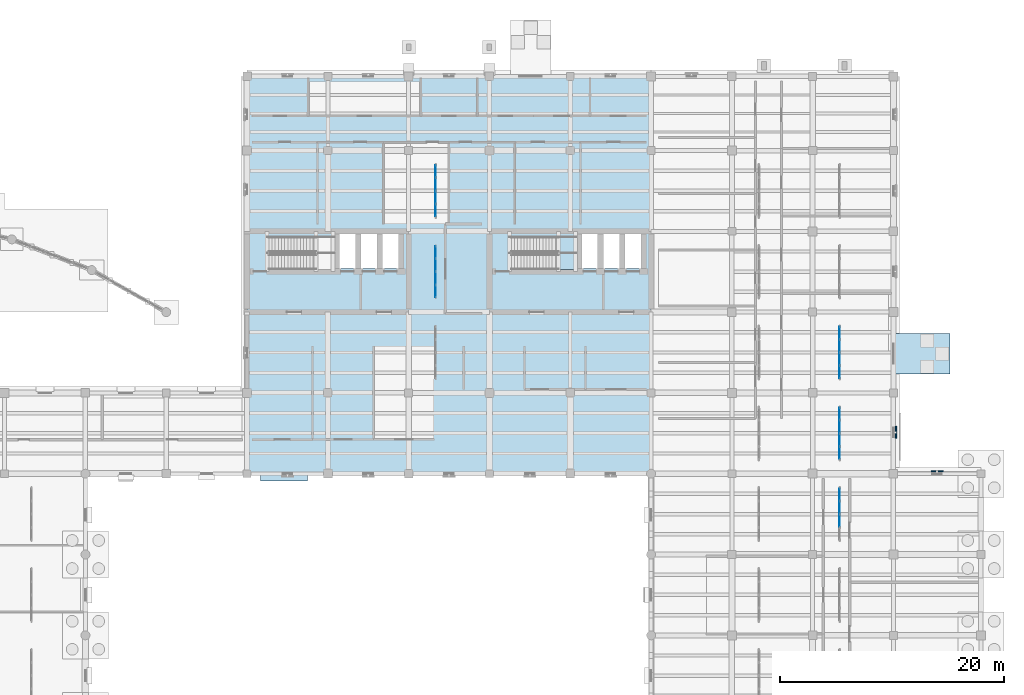
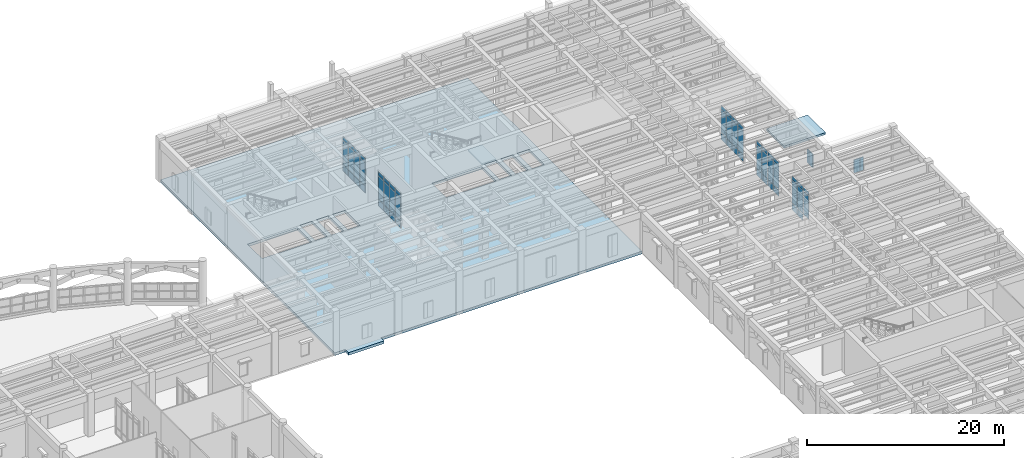
# One storey, part 65 of 100: 60 plates, 3 slabs, 6 elements without a shape of their own.
"""IFC4 building model written with IfcOpenShell, lengths in metres."""

from ifc_helpers import new_model, si_unit, direction, frame, origin, origin_2d, place, context, subcontext, project, spatial, polyline, rectangle, outline, extrude, material, layer, layer_set, type_object, element, aggregate, save


model = new_model("IFC4")

# Units and contexts
model_context = context("Model", 3, precision=1e-05, world=origin(), true_north=direction((0.0, 1.0)))
body_context = subcontext(model_context, "Body", "Model", "MODEL_VIEW")
ifc_project = project(units=[si_unit("LENGTHUNIT", "METRE"), si_unit("AREAUNIT", "SQUARE_METRE"), si_unit("VOLUMEUNIT", "CUBIC_METRE"), si_unit("PLANEANGLEUNIT", "RADIAN"), si_unit("MASSUNIT", "GRAM", prefix="KILO")], contexts=[model_context])

# Site, building, storey
site_placement = place(None, origin())
site = spatial("IfcSite", under=ifc_project, at=site_placement, CompositionType="ELEMENT")
building_placement = place(site_placement, origin())
building = spatial("IfcBuilding", under=site, at=building_placement, Name="Mithqara Police Headquarters", CompositionType="ELEMENT")
storey_placement = place(building_placement, origin())
storey = spatial("IfcBuildingStorey", under=building, at=storey_placement, Name="L00", CompositionType="ELEMENT", Elevation=0.0)

# Curtain wall, plates
ifc_material_1 = material(Name="Bronze anodised aluminium 6063-T6", Category="aluminium")
curtain_wall_type = type_object("IfcCurtainWallType", Name="CURTAIN WALL 4700X4400", PredefinedType="USERDEFINED", material=ifc_material_1)
curtain_wall_1_placement = place(storey_placement, origin())
curtain_wall_1 = element("IfcCurtainWall", 1, at=curtain_wall_1_placement, inside=storey, type_object=curtain_wall_type, Name="L00 Unitised Glazing CW-14 (CW-INT-L00-X17-Y13-0)", ObjectType="UNITISED GLAZING", PredefinedType="USERDEFINED")
ifc_material_2 = material(Name="Spectrally selective double low-e glass", Category="glass")
ifc_layer_1 = layer(ifc_material_2, 0.028076171875, Name="Spectrally selective double low-e glass")
ifc_layer_set_1 = layer_set([ifc_layer_1], Name="Spectrally selective double low-e glass")
plate_type_1 = type_object("IfcPlateType", Name="CWPANEL GLASS28", PredefinedType="CURTAIN_PANEL", material=ifc_layer_set_1)
plate_1_placement = place(storey_placement, frame((125.39990234375, 94.856201171875, 0.074951171875), z_axis=(0.0, 0.0, 1.0), x_axis=(0.0, 1.0, 0.0)))
plate_1 = element("IfcPlate", 2, at=plate_1_placement, type_object=plate_type_1, Name="CW-14 panel 1.1", PredefinedType="CURTAIN_PANEL", context=body_context, shape_type="SweptSolid", body=[
    extrude(rectangle(XDim=1.0625, YDim=0.028076171875, at=origin_2d()), origin(), (0.0, 0.0, 1.0), 0.78759765625),
])
plate_2_placement = place(storey_placement, frame((125.39990234375, 94.856201171875, 0.9375), z_axis=(0.0, 0.0, 1.0), x_axis=(0.0, 1.0, 0.0)))
plate_2 = element("IfcPlate", 3, at=plate_2_placement, type_object=plate_type_1, Name="CW-14 panel 1.2", PredefinedType="CURTAIN_PANEL", context=body_context, shape_type="SweptSolid", body=[
    extrude(rectangle(XDim=1.0625, YDim=0.028076171875, at=origin_2d()), origin(), (0.0, 0.0, 1.0), 2.875),
])
plate_3_placement = place(storey_placement, frame((125.39990234375, 94.856201171875, 3.887451171875), z_axis=(0.0, 0.0, 1.0), x_axis=(0.0, 1.0, 0.0)))
plate_3 = element("IfcPlate", 4, at=plate_3_placement, type_object=plate_type_1, Name="CW-14 panel 1.3", PredefinedType="CURTAIN_PANEL", context=body_context, shape_type="SweptSolid", body=[
    extrude(rectangle(XDim=1.0625, YDim=0.028076171875, at=origin_2d()), origin(), (0.0, 0.0, 1.0), 0.4375),
])
plate_4_placement = place(storey_placement, frame((125.39990234375, 96.012451171875, 0.074951171875), z_axis=(0.0, 0.0, 1.0), x_axis=(0.0, 1.0, 0.0)))
plate_4 = element("IfcPlate", 5, at=plate_4_placement, type_object=plate_type_1, Name="CW-14 panel 2.1", PredefinedType="CURTAIN_PANEL", context=body_context, shape_type="SweptSolid", body=[
    extrude(rectangle(XDim=1.10009765625, YDim=0.028076171875, at=origin_2d()), origin(), (0.0, 0.0, 1.0), 0.78759765625),
])
plate_5_placement = place(storey_placement, frame((125.39990234375, 96.012451171875, 0.9375), z_axis=(0.0, 0.0, 1.0), x_axis=(0.0, 1.0, 0.0)))
plate_5 = element("IfcPlate", 6, at=plate_5_placement, type_object=plate_type_1, Name="CW-14 panel 2.2", PredefinedType="CURTAIN_PANEL", context=body_context, shape_type="SweptSolid", body=[
    extrude(rectangle(XDim=1.10009765625, YDim=0.028076171875, at=origin_2d()), origin(), (0.0, 0.0, 1.0), 2.875),
])
plate_6_placement = place(storey_placement, frame((125.39990234375, 96.012451171875, 3.887451171875), z_axis=(0.0, 0.0, 1.0), x_axis=(0.0, 1.0, 0.0)))
plate_6 = element("IfcPlate", 7, at=plate_6_placement, type_object=plate_type_1, Name="CW-14 panel 2.3", PredefinedType="CURTAIN_PANEL", context=body_context, shape_type="SweptSolid", body=[
    extrude(rectangle(XDim=1.10009765625, YDim=0.028076171875, at=origin_2d()), origin(), (0.0, 0.0, 1.0), 0.4375),
])
plate_7_placement = place(storey_placement, frame((125.39990234375, 97.1875, 0.074951171875), z_axis=(0.0, 0.0, 1.0), x_axis=(0.0, 1.0, 0.0)))
plate_7 = element("IfcPlate", 8, at=plate_7_placement, type_object=plate_type_1, Name="CW-14 panel 3.1", PredefinedType="CURTAIN_PANEL", context=body_context, shape_type="SweptSolid", body=[
    extrude(rectangle(XDim=1.10009765625, YDim=0.028076171875, at=origin_2d()), origin(), (0.0, 0.0, 1.0), 0.78759765625),
])
plate_8_placement = place(storey_placement, frame((125.39990234375, 97.1875, 0.9375), z_axis=(0.0, 0.0, 1.0), x_axis=(0.0, 1.0, 0.0)))
plate_8 = element("IfcPlate", 9, at=plate_8_placement, type_object=plate_type_1, Name="CW-14 panel 3.2", PredefinedType="CURTAIN_PANEL", context=body_context, shape_type="SweptSolid", body=[
    extrude(rectangle(XDim=1.10009765625, YDim=0.028076171875, at=origin_2d()), origin(), (0.0, 0.0, 1.0), 2.875),
])
plate_9_placement = place(storey_placement, frame((125.39990234375, 97.1875, 3.887451171875), z_axis=(0.0, 0.0, 1.0), x_axis=(0.0, 1.0, 0.0)))
plate_9 = element("IfcPlate", 10, at=plate_9_placement, type_object=plate_type_1, Name="CW-14 panel 3.3", PredefinedType="CURTAIN_PANEL", context=body_context, shape_type="SweptSolid", body=[
    extrude(rectangle(XDim=1.10009765625, YDim=0.028076171875, at=origin_2d()), origin(), (0.0, 0.0, 1.0), 0.4375),
])
plate_10_placement = place(storey_placement, frame((125.39990234375, 98.34375, 0.074951171875), z_axis=(0.0, 0.0, 1.0), x_axis=(0.0, 1.0, 0.0)))
plate_10 = element("IfcPlate", 11, at=plate_10_placement, type_object=plate_type_1, Name="CW-14 panel 4.1", PredefinedType="CURTAIN_PANEL", context=body_context, shape_type="SweptSolid", body=[
    extrude(rectangle(XDim=1.0625, YDim=0.028076171875, at=origin_2d()), origin(), (0.0, 0.0, 1.0), 0.78759765625),
])
plate_11_placement = place(storey_placement, frame((125.39990234375, 98.34375, 0.9375), z_axis=(0.0, 0.0, 1.0), x_axis=(0.0, 1.0, 0.0)))
plate_11 = element("IfcPlate", 12, at=plate_11_placement, type_object=plate_type_1, Name="CW-14 panel 4.2", PredefinedType="CURTAIN_PANEL", context=body_context, shape_type="SweptSolid", body=[
    extrude(rectangle(XDim=1.0625, YDim=0.028076171875, at=origin_2d()), origin(), (0.0, 0.0, 1.0), 2.875),
])
plate_12_placement = place(storey_placement, frame((125.39990234375, 98.34375, 3.887451171875), z_axis=(0.0, 0.0, 1.0), x_axis=(0.0, 1.0, 0.0)))
plate_12 = element("IfcPlate", 13, at=plate_12_placement, type_object=plate_type_1, Name="CW-14 panel 4.3", PredefinedType="CURTAIN_PANEL", context=body_context, shape_type="SweptSolid", body=[
    extrude(rectangle(XDim=1.0625, YDim=0.028076171875, at=origin_2d()), origin(), (0.0, 0.0, 1.0), 0.4375),
])
aggregate(curtain_wall_1, [plate_1, plate_2, plate_3, plate_4, plate_5, plate_6, plate_7, plate_8, plate_9, plate_10, plate_11, plate_12])

curtain_wall_2_placement = place(storey_placement, origin())
curtain_wall_2 = element("IfcCurtainWall", 14, at=curtain_wall_2_placement, inside=storey, type_object=curtain_wall_type, Name="L00 Unitised Glazing CW-14 (CW-INT-L00-X17-Y14-0)", ObjectType="UNITISED GLAZING", PredefinedType="USERDEFINED")
plate_13_placement = place(storey_placement, frame((125.39990234375, 102.05615234375, 0.074951171875), z_axis=(0.0, 0.0, 1.0), x_axis=(0.0, 1.0, 0.0)))
plate_13 = element("IfcPlate", 15, at=plate_13_placement, type_object=plate_type_1, Name="CW-14 panel 1.1", PredefinedType="CURTAIN_PANEL", context=body_context, shape_type="SweptSolid", body=[
    extrude(rectangle(XDim=1.0625, YDim=0.028076171875, at=origin_2d()), origin(), (0.0, 0.0, 1.0), 0.78759765625),
])
plate_14_placement = place(storey_placement, frame((125.39990234375, 102.05615234375, 0.9375), z_axis=(0.0, 0.0, 1.0), x_axis=(0.0, 1.0, 0.0)))
plate_14 = element("IfcPlate", 16, at=plate_14_placement, type_object=plate_type_1, Name="CW-14 panel 1.2", PredefinedType="CURTAIN_PANEL", context=body_context, shape_type="SweptSolid", body=[
    extrude(rectangle(XDim=1.0625, YDim=0.028076171875, at=origin_2d()), origin(), (0.0, 0.0, 1.0), 2.875),
])
plate_15_placement = place(storey_placement, frame((125.39990234375, 102.05615234375, 3.887451171875), z_axis=(0.0, 0.0, 1.0), x_axis=(0.0, 1.0, 0.0)))
plate_15 = element("IfcPlate", 17, at=plate_15_placement, type_object=plate_type_1, Name="CW-14 panel 1.3", PredefinedType="CURTAIN_PANEL", context=body_context, shape_type="SweptSolid", body=[
    extrude(rectangle(XDim=1.0625, YDim=0.028076171875, at=origin_2d()), origin(), (0.0, 0.0, 1.0), 0.4375),
])
plate_16_placement = place(storey_placement, frame((125.39990234375, 103.21240234375, 0.074951171875), z_axis=(0.0, 0.0, 1.0), x_axis=(0.0, 1.0, 0.0)))
plate_16 = element("IfcPlate", 18, at=plate_16_placement, type_object=plate_type_1, Name="CW-14 panel 2.1", PredefinedType="CURTAIN_PANEL", context=body_context, shape_type="SweptSolid", body=[
    extrude(rectangle(XDim=1.10009765625, YDim=0.028076171875, at=origin_2d()), origin(), (0.0, 0.0, 1.0), 0.78759765625),
])
plate_17_placement = place(storey_placement, frame((125.39990234375, 103.21240234375, 0.9375), z_axis=(0.0, 0.0, 1.0), x_axis=(0.0, 1.0, 0.0)))
plate_17 = element("IfcPlate", 19, at=plate_17_placement, type_object=plate_type_1, Name="CW-14 panel 2.2", PredefinedType="CURTAIN_PANEL", context=body_context, shape_type="SweptSolid", body=[
    extrude(rectangle(XDim=1.10009765625, YDim=0.028076171875, at=origin_2d()), origin(), (0.0, 0.0, 1.0), 2.875),
])
plate_18_placement = place(storey_placement, frame((125.39990234375, 103.21240234375, 3.887451171875), z_axis=(0.0, 0.0, 1.0), x_axis=(0.0, 1.0, 0.0)))
plate_18 = element("IfcPlate", 20, at=plate_18_placement, type_object=plate_type_1, Name="CW-14 panel 2.3", PredefinedType="CURTAIN_PANEL", context=body_context, shape_type="SweptSolid", body=[
    extrude(rectangle(XDim=1.10009765625, YDim=0.028076171875, at=origin_2d()), origin(), (0.0, 0.0, 1.0), 0.4375),
])
plate_19_placement = place(storey_placement, frame((125.39990234375, 104.387451171875, 0.074951171875), z_axis=(0.0, 0.0, 1.0), x_axis=(0.0, 1.0, 0.0)))
plate_19 = element("IfcPlate", 21, at=plate_19_placement, type_object=plate_type_1, Name="CW-14 panel 3.1", PredefinedType="CURTAIN_PANEL", context=body_context, shape_type="SweptSolid", body=[
    extrude(rectangle(XDim=1.10009765625, YDim=0.028076171875, at=origin_2d()), origin(), (0.0, 0.0, 1.0), 0.78759765625),
])
plate_20_placement = place(storey_placement, frame((125.39990234375, 104.387451171875, 0.9375), z_axis=(0.0, 0.0, 1.0), x_axis=(0.0, 1.0, 0.0)))
plate_20 = element("IfcPlate", 22, at=plate_20_placement, type_object=plate_type_1, Name="CW-14 panel 3.2", PredefinedType="CURTAIN_PANEL", context=body_context, shape_type="SweptSolid", body=[
    extrude(rectangle(XDim=1.10009765625, YDim=0.028076171875, at=origin_2d()), origin(), (0.0, 0.0, 1.0), 2.875),
])
plate_21_placement = place(storey_placement, frame((125.39990234375, 104.387451171875, 3.887451171875), z_axis=(0.0, 0.0, 1.0), x_axis=(0.0, 1.0, 0.0)))
plate_21 = element("IfcPlate", 23, at=plate_21_placement, type_object=plate_type_1, Name="CW-14 panel 3.3", PredefinedType="CURTAIN_PANEL", context=body_context, shape_type="SweptSolid", body=[
    extrude(rectangle(XDim=1.10009765625, YDim=0.028076171875, at=origin_2d()), origin(), (0.0, 0.0, 1.0), 0.4375),
])
plate_22_placement = place(storey_placement, frame((125.39990234375, 105.543701171875, 0.074951171875), z_axis=(0.0, 0.0, 1.0), x_axis=(0.0, 1.0, 0.0)))
plate_22 = element("IfcPlate", 24, at=plate_22_placement, type_object=plate_type_1, Name="CW-14 panel 4.1", PredefinedType="CURTAIN_PANEL", context=body_context, shape_type="SweptSolid", body=[
    extrude(rectangle(XDim=1.0625, YDim=0.028076171875, at=origin_2d()), origin(), (0.0, 0.0, 1.0), 0.78759765625),
])
plate_23_placement = place(storey_placement, frame((125.39990234375, 105.543701171875, 0.9375), z_axis=(0.0, 0.0, 1.0), x_axis=(0.0, 1.0, 0.0)))
plate_23 = element("IfcPlate", 25, at=plate_23_placement, type_object=plate_type_1, Name="CW-14 panel 4.2", PredefinedType="CURTAIN_PANEL", context=body_context, shape_type="SweptSolid", body=[
    extrude(rectangle(XDim=1.0625, YDim=0.028076171875, at=origin_2d()), origin(), (0.0, 0.0, 1.0), 2.875),
])
plate_24_placement = place(storey_placement, frame((125.39990234375, 105.543701171875, 3.887451171875), z_axis=(0.0, 0.0, 1.0), x_axis=(0.0, 1.0, 0.0)))
plate_24 = element("IfcPlate", 26, at=plate_24_placement, type_object=plate_type_1, Name="CW-14 panel 4.3", PredefinedType="CURTAIN_PANEL", context=body_context, shape_type="SweptSolid", body=[
    extrude(rectangle(XDim=1.0625, YDim=0.028076171875, at=origin_2d()), origin(), (0.0, 0.0, 1.0), 0.4375),
])
aggregate(curtain_wall_2, [plate_13, plate_14, plate_15, plate_16, plate_17, plate_18, plate_19, plate_20, plate_21, plate_22, plate_23, plate_24])

curtain_wall_3_placement = place(storey_placement, origin())
curtain_wall_3 = element("IfcCurtainWall", 27, at=curtain_wall_3_placement, inside=storey, type_object=curtain_wall_type, Name="L00 Unitised Glazing CW-14 (CW-INT-L00-X22-Y10-0)", ObjectType="UNITISED GLAZING", PredefinedType="USERDEFINED")
plate_25_placement = place(storey_placement, frame((161.39990234375, 74.41259765625, 0.9375), z_axis=(0.0, 0.0, 1.0), x_axis=(0.0, 1.0, 0.0)))
plate_25 = element("IfcPlate", 28, at=plate_25_placement, type_object=plate_type_1, Name="CW-14 panel 2.2", PredefinedType="CURTAIN_PANEL", context=body_context, shape_type="SweptSolid", body=[
    extrude(rectangle(XDim=1.10009765625, YDim=0.028076171875, at=origin_2d()), origin(), (0.0, 0.0, 1.0), 2.875),
])
plate_26_placement = place(storey_placement, frame((161.39990234375, 74.41259765625, 3.887451171875), z_axis=(0.0, 0.0, 1.0), x_axis=(0.0, 1.0, 0.0)))
plate_26 = element("IfcPlate", 29, at=plate_26_placement, type_object=plate_type_1, Name="CW-14 panel 2.3", PredefinedType="CURTAIN_PANEL", context=body_context, shape_type="SweptSolid", body=[
    extrude(rectangle(XDim=1.10009765625, YDim=0.028076171875, at=origin_2d()), origin(), (0.0, 0.0, 1.0), 0.4375),
])
plate_27_placement = place(storey_placement, frame((161.39990234375, 75.58740234375, 0.074951171875), z_axis=(0.0, 0.0, 1.0), x_axis=(0.0, 1.0, 0.0)))
plate_27 = element("IfcPlate", 30, at=plate_27_placement, type_object=plate_type_1, Name="CW-14 panel 3.1", PredefinedType="CURTAIN_PANEL", context=body_context, shape_type="SweptSolid", body=[
    extrude(rectangle(XDim=1.10009765625, YDim=0.028076171875, at=origin_2d()), origin(), (0.0, 0.0, 1.0), 0.78759765625),
])
plate_28_placement = place(storey_placement, frame((161.39990234375, 75.58740234375, 0.9375), z_axis=(0.0, 0.0, 1.0), x_axis=(0.0, 1.0, 0.0)))
plate_28 = element("IfcPlate", 31, at=plate_28_placement, type_object=plate_type_1, Name="CW-14 panel 3.2", PredefinedType="CURTAIN_PANEL", context=body_context, shape_type="SweptSolid", body=[
    extrude(rectangle(XDim=1.10009765625, YDim=0.028076171875, at=origin_2d()), origin(), (0.0, 0.0, 1.0), 2.875),
])
plate_29_placement = place(storey_placement, frame((161.39990234375, 75.58740234375, 3.887451171875), z_axis=(0.0, 0.0, 1.0), x_axis=(0.0, 1.0, 0.0)))
plate_29 = element("IfcPlate", 32, at=plate_29_placement, type_object=plate_type_1, Name="CW-14 panel 3.3", PredefinedType="CURTAIN_PANEL", context=body_context, shape_type="SweptSolid", body=[
    extrude(rectangle(XDim=1.10009765625, YDim=0.028076171875, at=origin_2d()), origin(), (0.0, 0.0, 1.0), 0.4375),
])
plate_30_placement = place(storey_placement, frame((161.39990234375, 76.74365234375, 0.074951171875), z_axis=(0.0, 0.0, 1.0), x_axis=(0.0, 1.0, 0.0)))
plate_30 = element("IfcPlate", 33, at=plate_30_placement, type_object=plate_type_1, Name="CW-14 panel 4.1", PredefinedType="CURTAIN_PANEL", context=body_context, shape_type="SweptSolid", body=[
    extrude(rectangle(XDim=1.0625, YDim=0.028076171875, at=origin_2d()), origin(), (0.0, 0.0, 1.0), 0.78759765625),
])
plate_31_placement = place(storey_placement, frame((161.39990234375, 76.74365234375, 0.9375), z_axis=(0.0, 0.0, 1.0), x_axis=(0.0, 1.0, 0.0)))
plate_31 = element("IfcPlate", 34, at=plate_31_placement, type_object=plate_type_1, Name="CW-14 panel 4.2", PredefinedType="CURTAIN_PANEL", context=body_context, shape_type="SweptSolid", body=[
    extrude(rectangle(XDim=1.0625, YDim=0.028076171875, at=origin_2d()), origin(), (0.0, 0.0, 1.0), 2.875),
])
plate_32_placement = place(storey_placement, frame((161.39990234375, 76.74365234375, 3.887451171875), z_axis=(0.0, 0.0, 1.0), x_axis=(0.0, 1.0, 0.0)))
plate_32 = element("IfcPlate", 35, at=plate_32_placement, type_object=plate_type_1, Name="CW-14 panel 4.3", PredefinedType="CURTAIN_PANEL", context=body_context, shape_type="SweptSolid", body=[
    extrude(rectangle(XDim=1.0625, YDim=0.028076171875, at=origin_2d()), origin(), (0.0, 0.0, 1.0), 0.4375),
])
aggregate(curtain_wall_3, [plate_25, plate_26, plate_27, plate_28, plate_29, plate_30, plate_31, plate_32])

curtain_wall_4_placement = place(storey_placement, origin())
curtain_wall_4 = element("IfcCurtainWall", 36, at=curtain_wall_4_placement, inside=storey, type_object=curtain_wall_type, Name="L00 Unitised Glazing CW-14 (CW-INT-L00-X22-Y11-0)", ObjectType="UNITISED GLAZING", PredefinedType="USERDEFINED")
plate_33_placement = place(storey_placement, frame((161.39990234375, 80.456298828125, 0.074951171875), z_axis=(0.0, 0.0, 1.0), x_axis=(0.0, 1.0, 0.0)))
plate_33 = element("IfcPlate", 37, at=plate_33_placement, type_object=plate_type_1, Name="CW-14 panel 1.1", PredefinedType="CURTAIN_PANEL", context=body_context, shape_type="SweptSolid", body=[
    extrude(rectangle(XDim=1.0625, YDim=0.028076171875, at=origin_2d()), origin(), (0.0, 0.0, 1.0), 0.78759765625),
])
plate_34_placement = place(storey_placement, frame((161.39990234375, 80.456298828125, 0.9375), z_axis=(0.0, 0.0, 1.0), x_axis=(0.0, 1.0, 0.0)))
plate_34 = element("IfcPlate", 38, at=plate_34_placement, type_object=plate_type_1, Name="CW-14 panel 1.2", PredefinedType="CURTAIN_PANEL", context=body_context, shape_type="SweptSolid", body=[
    extrude(rectangle(XDim=1.0625, YDim=0.028076171875, at=origin_2d()), origin(), (0.0, 0.0, 1.0), 2.875),
])
plate_35_placement = place(storey_placement, frame((161.39990234375, 80.456298828125, 3.887451171875), z_axis=(0.0, 0.0, 1.0), x_axis=(0.0, 1.0, 0.0)))
plate_35 = element("IfcPlate", 39, at=plate_35_placement, type_object=plate_type_1, Name="CW-14 panel 1.3", PredefinedType="CURTAIN_PANEL", context=body_context, shape_type="SweptSolid", body=[
    extrude(rectangle(XDim=1.0625, YDim=0.028076171875, at=origin_2d()), origin(), (0.0, 0.0, 1.0), 0.4375),
])
plate_36_placement = place(storey_placement, frame((161.39990234375, 81.612548828125, 0.074951171875), z_axis=(0.0, 0.0, 1.0), x_axis=(0.0, 1.0, 0.0)))
plate_36 = element("IfcPlate", 40, at=plate_36_placement, type_object=plate_type_1, Name="CW-14 panel 2.1", PredefinedType="CURTAIN_PANEL", context=body_context, shape_type="SweptSolid", body=[
    extrude(rectangle(XDim=1.10009765625, YDim=0.028076171875, at=origin_2d()), origin(), (0.0, 0.0, 1.0), 0.78759765625),
])
plate_37_placement = place(storey_placement, frame((161.39990234375, 81.612548828125, 0.9375), z_axis=(0.0, 0.0, 1.0), x_axis=(0.0, 1.0, 0.0)))
plate_37 = element("IfcPlate", 41, at=plate_37_placement, type_object=plate_type_1, Name="CW-14 panel 2.2", PredefinedType="CURTAIN_PANEL", context=body_context, shape_type="SweptSolid", body=[
    extrude(rectangle(XDim=1.10009765625, YDim=0.028076171875, at=origin_2d()), origin(), (0.0, 0.0, 1.0), 2.875),
])
plate_38_placement = place(storey_placement, frame((161.39990234375, 81.612548828125, 3.887451171875), z_axis=(0.0, 0.0, 1.0), x_axis=(0.0, 1.0, 0.0)))
plate_38 = element("IfcPlate", 42, at=plate_38_placement, type_object=plate_type_1, Name="CW-14 panel 2.3", PredefinedType="CURTAIN_PANEL", context=body_context, shape_type="SweptSolid", body=[
    extrude(rectangle(XDim=1.10009765625, YDim=0.028076171875, at=origin_2d()), origin(), (0.0, 0.0, 1.0), 0.4375),
])
plate_39_placement = place(storey_placement, frame((161.39990234375, 82.78759765625, 0.074951171875), z_axis=(0.0, 0.0, 1.0), x_axis=(0.0, 1.0, 0.0)))
plate_39 = element("IfcPlate", 43, at=plate_39_placement, type_object=plate_type_1, Name="CW-14 panel 3.1", PredefinedType="CURTAIN_PANEL", context=body_context, shape_type="SweptSolid", body=[
    extrude(rectangle(XDim=1.10009765625, YDim=0.028076171875, at=origin_2d()), origin(), (0.0, 0.0, 1.0), 0.78759765625),
])
plate_40_placement = place(storey_placement, frame((161.39990234375, 82.78759765625, 0.9375), z_axis=(0.0, 0.0, 1.0), x_axis=(0.0, 1.0, 0.0)))
plate_40 = element("IfcPlate", 44, at=plate_40_placement, type_object=plate_type_1, Name="CW-14 panel 3.2", PredefinedType="CURTAIN_PANEL", context=body_context, shape_type="SweptSolid", body=[
    extrude(rectangle(XDim=1.10009765625, YDim=0.028076171875, at=origin_2d()), origin(), (0.0, 0.0, 1.0), 2.875),
])
plate_41_placement = place(storey_placement, frame((161.39990234375, 82.78759765625, 3.887451171875), z_axis=(0.0, 0.0, 1.0), x_axis=(0.0, 1.0, 0.0)))
plate_41 = element("IfcPlate", 45, at=plate_41_placement, type_object=plate_type_1, Name="CW-14 panel 3.3", PredefinedType="CURTAIN_PANEL", context=body_context, shape_type="SweptSolid", body=[
    extrude(rectangle(XDim=1.10009765625, YDim=0.028076171875, at=origin_2d()), origin(), (0.0, 0.0, 1.0), 0.4375),
])
plate_42_placement = place(storey_placement, frame((161.39990234375, 83.94384765625, 0.074951171875), z_axis=(0.0, 0.0, 1.0), x_axis=(0.0, 1.0, 0.0)))
plate_42 = element("IfcPlate", 46, at=plate_42_placement, type_object=plate_type_1, Name="CW-14 panel 4.1", PredefinedType="CURTAIN_PANEL", context=body_context, shape_type="SweptSolid", body=[
    extrude(rectangle(XDim=1.0625, YDim=0.028076171875, at=origin_2d()), origin(), (0.0, 0.0, 1.0), 0.78759765625),
])
plate_43_placement = place(storey_placement, frame((161.39990234375, 83.94384765625, 0.9375), z_axis=(0.0, 0.0, 1.0), x_axis=(0.0, 1.0, 0.0)))
plate_43 = element("IfcPlate", 47, at=plate_43_placement, type_object=plate_type_1, Name="CW-14 panel 4.2", PredefinedType="CURTAIN_PANEL", context=body_context, shape_type="SweptSolid", body=[
    extrude(rectangle(XDim=1.0625, YDim=0.028076171875, at=origin_2d()), origin(), (0.0, 0.0, 1.0), 2.875),
])
plate_44_placement = place(storey_placement, frame((161.39990234375, 83.94384765625, 3.887451171875), z_axis=(0.0, 0.0, 1.0), x_axis=(0.0, 1.0, 0.0)))
plate_44 = element("IfcPlate", 48, at=plate_44_placement, type_object=plate_type_1, Name="CW-14 panel 4.3", PredefinedType="CURTAIN_PANEL", context=body_context, shape_type="SweptSolid", body=[
    extrude(rectangle(XDim=1.0625, YDim=0.028076171875, at=origin_2d()), origin(), (0.0, 0.0, 1.0), 0.4375),
])
aggregate(curtain_wall_4, [plate_33, plate_34, plate_35, plate_36, plate_37, plate_38, plate_39, plate_40, plate_41, plate_42, plate_43, plate_44])

curtain_wall_5_placement = place(storey_placement, origin())
curtain_wall_5 = element("IfcCurtainWall", 49, at=curtain_wall_5_placement, inside=storey, type_object=curtain_wall_type, Name="L00 Unitised Glazing CW-14 (CW-INT-L00-X22-Y12-0)", ObjectType="UNITISED GLAZING", PredefinedType="USERDEFINED")
ifc_material_3 = material(Name="Insulated bronze aluminium spandrel panel", Category="aluminium")
ifc_layer_2 = layer(ifc_material_3, 0.048095703125, Name="Insulated bronze aluminium spandrel panel")
ifc_layer_set_2 = layer_set([ifc_layer_2], Name="Insulated bronze aluminium spandrel panel")
plate_type_2 = type_object("IfcPlateType", Name="CWPANEL SPANDREL48", PredefinedType="CURTAIN_PANEL", material=ifc_layer_set_2)
plate_45_placement = place(storey_placement, frame((161.39990234375, 87.65625, 0.074951171875), z_axis=(0.0, 0.0, 1.0), x_axis=(0.0, 1.0, 0.0)))
plate_45 = element("IfcPlate", 50, at=plate_45_placement, type_object=plate_type_2, Name="CW-14 panel 1.1", PredefinedType="CURTAIN_PANEL", context=body_context, shape_type="SweptSolid", body=[
    extrude(rectangle(XDim=1.0625, YDim=0.048095703125, at=origin_2d()), origin(), (0.0, 0.0, 1.0), 0.78759765625),
])
plate_46_placement = place(storey_placement, frame((161.39990234375, 87.65625, 0.9375), z_axis=(0.0, 0.0, 1.0), x_axis=(0.0, 1.0, 0.0)))
plate_46 = element("IfcPlate", 51, at=plate_46_placement, type_object=plate_type_2, Name="CW-14 panel 1.2", PredefinedType="CURTAIN_PANEL", context=body_context, shape_type="SweptSolid", body=[
    extrude(rectangle(XDim=1.0625, YDim=0.048095703125, at=origin_2d()), origin(), (0.0, 0.0, 1.0), 2.875),
])
plate_47_placement = place(storey_placement, frame((161.39990234375, 87.65625, 3.887451171875), z_axis=(0.0, 0.0, 1.0), x_axis=(0.0, 1.0, 0.0)))
plate_47 = element("IfcPlate", 52, at=plate_47_placement, type_object=plate_type_2, Name="CW-14 panel 1.3", PredefinedType="CURTAIN_PANEL", context=body_context, shape_type="SweptSolid", body=[
    extrude(rectangle(XDim=1.0625, YDim=0.048095703125, at=origin_2d()), origin(), (0.0, 0.0, 1.0), 0.4375),
])
plate_48_placement = place(storey_placement, frame((161.39990234375, 88.8125, 0.074951171875), z_axis=(0.0, 0.0, 1.0), x_axis=(0.0, 1.0, 0.0)))
plate_48 = element("IfcPlate", 53, at=plate_48_placement, type_object=plate_type_2, Name="CW-14 panel 2.1", PredefinedType="CURTAIN_PANEL", context=body_context, shape_type="SweptSolid", body=[
    extrude(rectangle(XDim=1.10009765625, YDim=0.048095703125, at=origin_2d()), origin(), (0.0, 0.0, 1.0), 0.78759765625),
])
plate_49_placement = place(storey_placement, frame((161.39990234375, 88.8125, 0.9375), z_axis=(0.0, 0.0, 1.0), x_axis=(0.0, 1.0, 0.0)))
plate_49 = element("IfcPlate", 54, at=plate_49_placement, type_object=plate_type_2, Name="CW-14 panel 2.2", PredefinedType="CURTAIN_PANEL", context=body_context, shape_type="SweptSolid", body=[
    extrude(rectangle(XDim=1.10009765625, YDim=0.048095703125, at=origin_2d()), origin(), (0.0, 0.0, 1.0), 2.875),
])
plate_50_placement = place(storey_placement, frame((161.39990234375, 88.8125, 3.887451171875), z_axis=(0.0, 0.0, 1.0), x_axis=(0.0, 1.0, 0.0)))
plate_50 = element("IfcPlate", 55, at=plate_50_placement, type_object=plate_type_2, Name="CW-14 panel 2.3", PredefinedType="CURTAIN_PANEL", context=body_context, shape_type="SweptSolid", body=[
    extrude(rectangle(XDim=1.10009765625, YDim=0.048095703125, at=origin_2d()), origin(), (0.0, 0.0, 1.0), 0.4375),
])
plate_51_placement = place(storey_placement, frame((161.39990234375, 89.987548828125, 0.074951171875), z_axis=(0.0, 0.0, 1.0), x_axis=(0.0, 1.0, 0.0)))
plate_51 = element("IfcPlate", 56, at=plate_51_placement, type_object=plate_type_2, Name="CW-14 panel 3.1", PredefinedType="CURTAIN_PANEL", context=body_context, shape_type="SweptSolid", body=[
    extrude(rectangle(XDim=1.10009765625, YDim=0.048095703125, at=origin_2d()), origin(), (0.0, 0.0, 1.0), 0.78759765625),
])
plate_52_placement = place(storey_placement, frame((161.39990234375, 89.987548828125, 0.9375), z_axis=(0.0, 0.0, 1.0), x_axis=(0.0, 1.0, 0.0)))
plate_52 = element("IfcPlate", 57, at=plate_52_placement, type_object=plate_type_2, Name="CW-14 panel 3.2", PredefinedType="CURTAIN_PANEL", context=body_context, shape_type="SweptSolid", body=[
    extrude(rectangle(XDim=1.10009765625, YDim=0.048095703125, at=origin_2d()), origin(), (0.0, 0.0, 1.0), 2.875),
])
plate_53_placement = place(storey_placement, frame((161.39990234375, 89.987548828125, 3.887451171875), z_axis=(0.0, 0.0, 1.0), x_axis=(0.0, 1.0, 0.0)))
plate_53 = element("IfcPlate", 58, at=plate_53_placement, type_object=plate_type_2, Name="CW-14 panel 3.3", PredefinedType="CURTAIN_PANEL", context=body_context, shape_type="SweptSolid", body=[
    extrude(rectangle(XDim=1.10009765625, YDim=0.048095703125, at=origin_2d()), origin(), (0.0, 0.0, 1.0), 0.4375),
])
plate_54_placement = place(storey_placement, frame((161.39990234375, 91.143798828125, 0.074951171875), z_axis=(0.0, 0.0, 1.0), x_axis=(0.0, 1.0, 0.0)))
plate_54 = element("IfcPlate", 59, at=plate_54_placement, type_object=plate_type_2, Name="CW-14 panel 4.1", PredefinedType="CURTAIN_PANEL", context=body_context, shape_type="SweptSolid", body=[
    extrude(rectangle(XDim=1.0625, YDim=0.048095703125, at=origin_2d()), origin(), (0.0, 0.0, 1.0), 0.78759765625),
])
plate_55_placement = place(storey_placement, frame((161.39990234375, 91.143798828125, 0.9375), z_axis=(0.0, 0.0, 1.0), x_axis=(0.0, 1.0, 0.0)))
plate_55 = element("IfcPlate", 60, at=plate_55_placement, type_object=plate_type_2, Name="CW-14 panel 4.2", PredefinedType="CURTAIN_PANEL", context=body_context, shape_type="SweptSolid", body=[
    extrude(rectangle(XDim=1.0625, YDim=0.048095703125, at=origin_2d()), origin(), (0.0, 0.0, 1.0), 2.875),
])
plate_56_placement = place(storey_placement, frame((161.39990234375, 91.143798828125, 3.887451171875), z_axis=(0.0, 0.0, 1.0), x_axis=(0.0, 1.0, 0.0)))
plate_56 = element("IfcPlate", 61, at=plate_56_placement, type_object=plate_type_2, Name="CW-14 panel 4.3", PredefinedType="CURTAIN_PANEL", context=body_context, shape_type="SweptSolid", body=[
    extrude(rectangle(XDim=1.0625, YDim=0.048095703125, at=origin_2d()), origin(), (0.0, 0.0, 1.0), 0.4375),
])
aggregate(curtain_wall_5, [plate_45, plate_46, plate_47, plate_48, plate_49, plate_50, plate_51, plate_52, plate_53, plate_54, plate_55, plate_56])

# Slabs
ifc_material_4 = material(Name="Concrete C40/50", Category="concrete")
ifc_layer_3 = layer(ifc_material_4, 0.320068359375, Name="Concrete C40/50")
ifc_layer_set_3 = layer_set([ifc_layer_3], Name="Concrete C40/50")
slab_type_1 = type_object("IfcSlabType", Name="FLOOR SLAB 320", PredefinedType="FLOOR", material=ifc_layer_set_3)
slab_1_placement = place(storey_placement, frame((0.0, 0.0, -0.320068359375)))
element("IfcSlab", 62, at=slab_1_placement, inside=storey, type_object=slab_type_1, Name="L00 Structural Slab L00-V1A", PredefinedType="FLOOR", context=body_context, shape_type="SweptSolid", body=[
    extrude(outline(polyline([(109.800048828125, 78.60009765625), (108.60009765625, 78.60009765625), (108.60009765625, 114.0), (144.60009765625, 114.0), (144.60009765625, 78.60009765625), (114.0, 78.60009765625), (114.0, 77.949951171875), (109.800048828125, 77.949951171875), (109.800048828125, 78.60009765625)]), holes=[polyline([(110.550048828125, 96.800048828125), (116.39990234375, 96.800048828125), (116.39990234375, 99.699951171875), (110.550048828125, 99.699951171875), (110.550048828125, 96.800048828125)]), polyline([(132.14990234375, 96.800048828125), (138.0, 96.800048828125), (138.0, 99.699951171875), (132.14990234375, 99.699951171875), (132.14990234375, 96.800048828125)]), polyline([(118.25, 96.8701171875), (118.25, 99.949951171875), (116.830078125, 99.949951171875), (116.830078125, 96.8701171875), (118.25, 96.8701171875)]), polyline([(120.169921875, 96.8701171875), (120.169921875, 99.949951171875), (118.75, 99.949951171875), (118.75, 96.8701171875), (120.169921875, 96.8701171875)]), polyline([(122.090087890625, 96.8701171875), (122.090087890625, 99.949951171875), (120.669921875, 99.949951171875), (120.669921875, 96.8701171875), (122.090087890625, 96.8701171875)]), polyline([(139.85009765625, 96.8701171875), (139.85009765625, 99.949951171875), (138.429931640625, 99.949951171875), (138.429931640625, 96.8701171875), (139.85009765625, 96.8701171875)]), polyline([(141.77001953125, 96.8701171875), (141.77001953125, 99.949951171875), (140.35009765625, 99.949951171875), (140.35009765625, 96.8701171875), (141.77001953125, 96.8701171875)]), polyline([(143.68994140625, 96.8701171875), (143.68994140625, 99.949951171875), (142.27001953125, 99.949951171875), (142.27001953125, 96.8701171875), (143.68994140625, 96.8701171875)])]), origin(), (0.0, 0.0, 1.0), 0.320068359375),
])
ifc_layer_4 = layer(ifc_material_4, 0.260009765625, Name="Concrete C40/50")
ifc_layer_set_4 = layer_set([ifc_layer_4], Name="Concrete C40/50")
slab_type_2 = type_object("IfcSlabType", Name="PAVING SLAB 260", PredefinedType="FLOOR", material=ifc_layer_set_4)
slab_2_placement = place(storey_placement, frame((0.0, 0.0, -0.260009765625)))
element("IfcSlab", 63, at=slab_2_placement, inside=storey, type_object=slab_type_2, Name="Ground Exit Threshold Apron 4", PredefinedType="FLOOR", context=body_context, shape_type="SweptSolid", body=[
    extrude(outline(polyline([(166.3798828125, 91.092041015625), (171.22998046875, 91.092041015625), (171.22998046875, 87.491943359375), (166.3798828125, 87.491943359375), (166.3798828125, 91.092041015625)])), origin(), (0.0, 0.0, 1.0), 0.260009765625),
])

# Stair, slab
stair_type = type_object("IfcStairType", Name="STAIR ST 02-R32", PredefinedType="HALF_TURN_STAIR", material=ifc_material_4)
stair_placement = place(storey_placement, origin())
stair = element("IfcStair", 64, at=stair_placement, inside=storey, type_object=stair_type, Name="L00 Core C2 Command East Exit Stair", PredefinedType="HALF_TURN_STAIR")
ifc_layer_5 = layer(ifc_material_4, 0.199951171875, Name="Concrete C40/50")
ifc_layer_set_5 = layer_set([ifc_layer_5], Name="Concrete C40/50")
slab_type_3 = type_object("IfcSlabType", Name="STAIR LANDING 200", PredefinedType="LANDING", material=ifc_layer_set_5)
slab_3_placement = place(storey_placement, frame((0.0, 0.0, 2.5)))
slab_3 = element("IfcSlab", 65, at=slab_3_placement, type_object=slab_type_3, Name="ST-02 landing 1", PredefinedType="LANDING", context=body_context, shape_type="SweptSolid", body=[
    extrude(outline(polyline([(136.35009765625, 96.800048828125), (138.0, 96.800048828125), (138.0, 99.699951171875), (136.35009765625, 99.699951171875), (136.35009765625, 96.800048828125)])), origin(), (0.0, 0.0, 1.0), 0.199951171875),
])
aggregate(stair, [slab_3])

# Plates
ifc_material_5 = material(Name="Limestone ashlar masonry, 45 MPa", Category="masonry")
ifc_layer_6 = layer(ifc_material_5, 0.10009765625, Name="Limestone ashlar masonry, 45 MPa")
ifc_layer_set_6 = layer_set([ifc_layer_6], Name="Limestone ashlar masonry, 45 MPa")
plate_type_3 = type_object("IfcPlateType", Name="STONE SCREEN 100", PredefinedType="USERDEFINED", material=ifc_layer_set_6)
for number, where, z_axis, x_axis, name in (
    (66, (170.3125, 78.830078125, 0.830078125), (0.0, 0.0, 1.0), (1.0, 0.0, 0.0), "L00 Pierced Limestone Vertical-Slit Panel 1"),
    (67, (169.887451171875, 78.830078125, 0.830078125), (0.0, 0.0, 1.0), (1.0, 0.0, 0.0), "L00 Pierced Limestone Vertical-Slit Panel 2"),
):
    element("IfcPlate", number, at=place(storey_placement, frame(where, z_axis=z_axis, x_axis=x_axis)), inside=storey, type_object=plate_type_3, Name=name, ObjectType="STONE SCREEN", PredefinedType="USERDEFINED", context=body_context, shape_type="SweptSolid", body=[
        extrude(rectangle(XDim=0.656005859375, YDim=0.10009765625, at=origin_2d()), origin(), (0.0, 0.0, 1.0), 1.639892578125),
    ])
ifc_layer_7 = layer(ifc_material_5, 0.1201171875, Name="Limestone ashlar masonry, 45 MPa")
ifc_layer_set_7 = layer_set([ifc_layer_7], Name="Limestone ashlar masonry, 45 MPa")
plate_type_4 = type_object("IfcPlateType", Name="STONE SCREEN 120", PredefinedType="USERDEFINED", material=ifc_layer_set_7)
for number, where, z_axis, x_axis, name in (
    (68, (166.43994140625, 82.077392578125, 0.830078125), (0.0, 0.0, 1.0), (0.0, 1.0, 0.0), "L00 Pierced Limestone Vertical-Slit Panel 3"),
    (69, (166.43994140625, 82.50244140625, 0.830078125), (0.0, 0.0, 1.0), (0.0, 1.0, 0.0), "L00 Pierced Limestone Vertical-Slit Panel 4"),
):
    element("IfcPlate", number, at=place(storey_placement, frame(where, z_axis=z_axis, x_axis=x_axis)), inside=storey, type_object=plate_type_4, Name=name, ObjectType="STONE SCREEN", PredefinedType="USERDEFINED", context=body_context, shape_type="SweptSolid", body=[
        extrude(rectangle(XDim=0.656005859375, YDim=0.1201171875, at=origin_2d()), origin(), (0.0, 0.0, 1.0), 1.639892578125),
    ])

save(model, "model.ifc")
